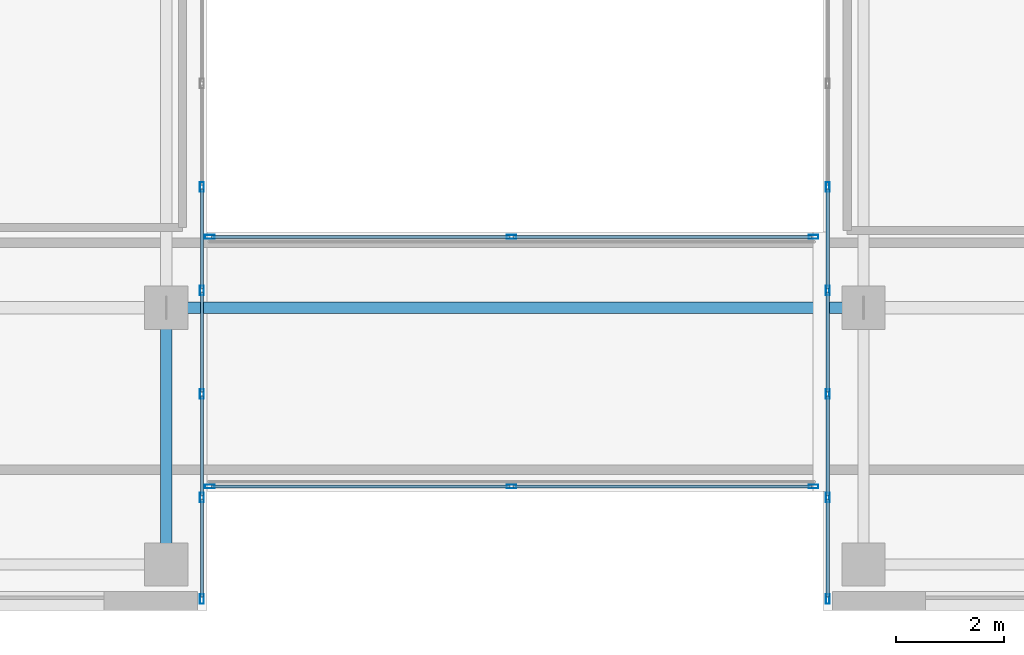
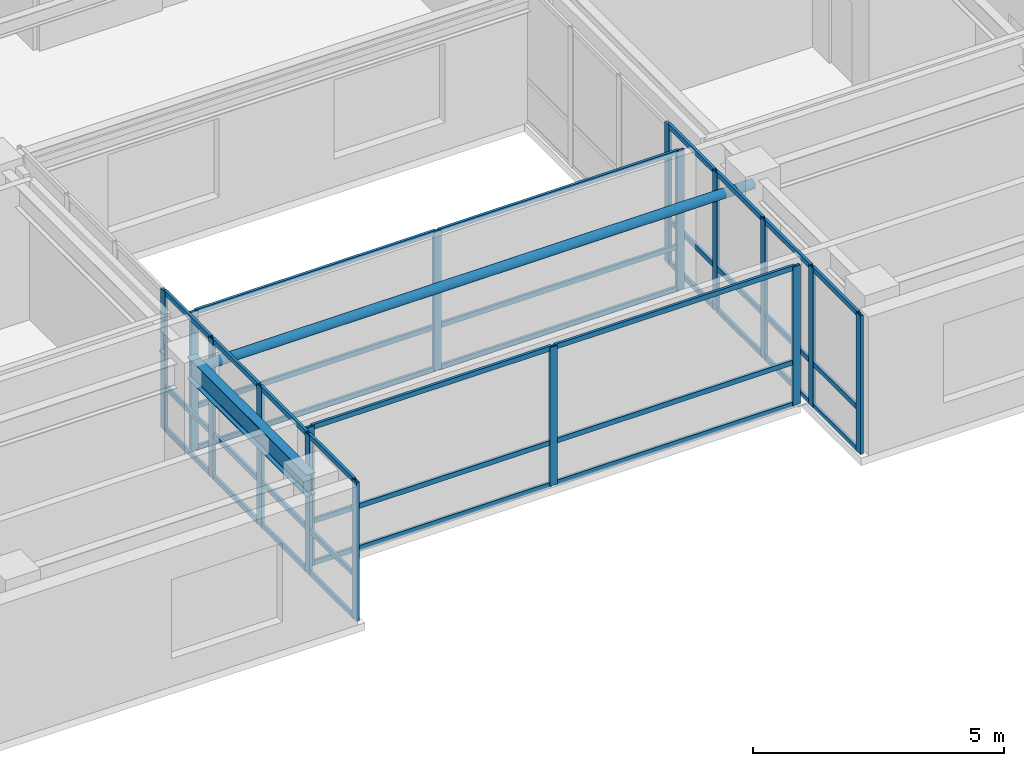
# One storey, part 3 of 20: 53 members, 1 beam, 4 elements without a shape of their own.
"""IFC4 building model written with IfcOpenShell, lengths in metres."""

from ifc_helpers import new_model, si_unit, direction, frame, origin, origin_2d, place, context, subcontext, project, spatial, hollow_rectangle, hollow_circle, i_section, extrude, source, transform, mapped, material, layer, layer_set, material_profile, profile_set, type_object, type_shapes, element, aggregate, save


model = new_model("IFC4")

# Units and contexts
model_context = context("Model", 3, precision=1e-05, world=origin(), true_north=direction((0.0, 1.0)))
body_context = subcontext(model_context, "Body", "Model", "MODEL_VIEW")
ifc_project = project(units=[si_unit("LENGTHUNIT", "METRE"), si_unit("AREAUNIT", "SQUARE_METRE"), si_unit("VOLUMEUNIT", "CUBIC_METRE"), si_unit("PLANEANGLEUNIT", "RADIAN"), si_unit("MASSUNIT", "GRAM", prefix="KILO")], contexts=[model_context])

# Site, building, storey
site_placement = place(None, origin())
site = spatial("IfcSite", under=ifc_project, at=site_placement, CompositionType="ELEMENT")
building_placement = place(site_placement, origin())
building = spatial("IfcBuilding", under=site, at=building_placement, Name="Tolvann Quenvar Hotel", CompositionType="ELEMENT")
storey_placement = place(building_placement, frame((0.0, 0.0, 171.89990234375)))
storey = spatial("IfcBuildingStorey", under=building, at=storey_placement, Name="L45", CompositionType="ELEMENT", Elevation=171.89990234375)

# Member
ifc_material_1 = material(Name="Steel Grade 450 (C450L0)", Category="steel")
ifc_material_profile_1 = material_profile(ifc_material_1, hollow_circle(Radius=0.109619140625, WallThickness=0.00830078125, at=origin_2d()), Name="219.1x8.2CHS")
ifc_profile_set_1 = profile_set([ifc_material_profile_1], Name="Steel Grade 450 (C450L0)")
member_type_1 = type_object("IfcMemberType", Name="MEM_BRG_219CHS", PredefinedType="BRACE", material=ifc_profile_set_1)
shared_shape_1 = source(origin(), body_context, "Body", "SweptSolid", [
    extrude(hollow_circle(Radius=0.109619140625, WallThickness=0.00830078125, at=origin_2d()), origin(), (0.0, 0.0, 1.0), 12.89990234375),
])
type_shapes(member_type_1, [shared_shape_1])
member_1_placement = place(storey_placement, frame((22.050048828125, 8.199951171875, 3.02001953125), z_axis=(1.0, 0.0, 0.0), x_axis=(0.0, 1.0, 0.0)))
element("IfcMember", 1, at=member_1_placement, inside=storey, type_object=member_type_1, Name="Skybridge Tie Strut (L45)", PredefinedType="BRACE", context=body_context, shape_type="MappedRepresentation", body=[
    mapped(shared_shape_1, transform((0.0, 0.0, 0.0), x_axis=(1.0, 0.0, 0.0), y_axis=(0.0, 1.0, 0.0), z_axis=(0.0, 0.0, 1.0), scale=1.0)),
])

# Beam
ifc_material_2 = material(Name="Steel Grade 350", Category="steel")
ifc_material_profile_2 = material_profile(ifc_material_2, i_section(OverallWidth=0.208984375, OverallDepth=0.532958984375, WebThickness=0.01025390625, FlangeThickness=0.015625, FilletRadius=0.013916015625, at=origin_2d()), Name="530UB92")
ifc_profile_set_2 = profile_set([ifc_material_profile_2], Name="Steel Grade 350")
beam_type = type_object("IfcBeamType", Name="BM_GIRD_530UB92", PredefinedType="BEAM", material=ifc_profile_set_2)
shared_shape_2 = source(origin(), body_context, "Body", "SweptSolid", [
    extrude(i_section(OverallWidth=0.208984375, OverallDepth=0.532958984375, WebThickness=0.01025390625, FlangeThickness=0.015625, FilletRadius=0.013916015625, at=origin_2d()), origin(), (0.0, 0.0, 1.0), 4.75),
])
type_shapes(beam_type, [shared_shape_2])
beam_placement = place(storey_placement, frame((22.050048828125, 3.449951171875, 3.103515625), z_axis=(0.0, 1.0, 0.0), x_axis=(-1.0, 0.0, 0.0)))
element("IfcBeam", 2, at=beam_placement, inside=storey, type_object=beam_type, Name="BM-L45-NS-E2-E3", PredefinedType="BEAM", context=body_context, shape_type="MappedRepresentation", body=[
    mapped(shared_shape_2, transform((0.0, 0.0, 0.0), x_axis=(1.0, 0.0, 0.0), y_axis=(0.0, 1.0, 0.0), z_axis=(0.0, 0.0, 1.0), scale=1.0)),
])

# Curtain wall, members
ifc_material_3 = material(Name="Thermally broken anodised architectural aluminium 6063-T6 and laminated low-E glass", Category="aluminium")
ifc_layer = layer(ifc_material_3, 0.179931640625)
ifc_layer_set = layer_set([ifc_layer], Name="Thermally broken anodised architectural aluminium 6063-T6 and laminated low-E glass")
curtain_wall_type = type_object("IfcCurtainWallType", Name="CW_SYS_SLOT_03", PredefinedType="USERDEFINED", material=ifc_layer_set)
curtain_wall_1_placement = place(storey_placement, origin())
curtain_wall_1 = element("IfcCurtainWall", 3, at=curtain_wall_1_placement, inside=storey, type_object=curtain_wall_type, Name="Curtain Wall CW-SLOT-03 (CWR-L45-E05)", ObjectType="UNITISED CURTAIN WALL", PredefinedType="USERDEFINED")
ifc_material_4 = material(Name="Anodised architectural aluminium 6063-T6 framing", Category="aluminium")
ifc_material_profile_3 = material_profile(ifc_material_4, hollow_rectangle(XDim=0.070068359375, YDim=0.179931640625, WallThickness=0.00390625, at=origin_2d()), Name="180x70x4RHS")
ifc_profile_set_3 = profile_set([ifc_material_profile_3], Name="Anodised architectural aluminium 6063-T6 framing")
member_type_2 = type_object("IfcMemberType", Name="CW_MULL_180x70", PredefinedType="MULLION", material=ifc_profile_set_3)
shared_shape_3 = source(origin(), body_context, "Body", "SweptSolid", [
    extrude(hollow_rectangle(XDim=0.070068359375, YDim=0.179931640625, WallThickness=0.00390625, at=origin_2d()), origin(), (0.0, 0.0, 1.0), 3.3701171875),
])
type_shapes(member_type_2, [shared_shape_3])
member_2_placement = place(storey_placement, frame((22.7099609375, 2.81005859375, 0.0), z_axis=(0.0, 0.0, 1.0), x_axis=(-1.0, 0.0, 0.0)))
member_2 = element("IfcMember", 4, at=member_2_placement, type_object=member_type_2, Name="CW-SLOT-03 mullion 1", PredefinedType="MULLION", context=body_context, shape_type="MappedRepresentation", body=[
    mapped(shared_shape_3, transform((0.0, 0.0, 0.0), x_axis=(1.0, 0.0, 0.0), y_axis=(0.0, 1.0, 0.0), z_axis=(0.0, 0.0, 1.0), scale=1.0)),
])
member_3_placement = place(storey_placement, frame((22.7099609375, 4.689208984375, 0.0), z_axis=(0.0, 0.0, 1.0), x_axis=(-1.0, 0.0, 0.0)))
member_3 = element("IfcMember", 5, at=member_3_placement, type_object=member_type_2, Name="CW-SLOT-03 mullion 2", PredefinedType="MULLION", context=body_context, shape_type="MappedRepresentation", body=[
    mapped(shared_shape_3, transform((0.0, 0.0, 0.0), x_axis=(1.0, 0.0, 0.0), y_axis=(0.0, 1.0, 0.0), z_axis=(0.0, 0.0, 1.0), scale=1.0)),
])
member_4_placement = place(storey_placement, frame((22.7099609375, 6.603515625, 0.0), z_axis=(0.0, 0.0, 1.0), x_axis=(-1.0, 0.0, 0.0)))
member_4 = element("IfcMember", 6, at=member_4_placement, type_object=member_type_2, Name="CW-SLOT-03 mullion 3", PredefinedType="MULLION", context=body_context, shape_type="MappedRepresentation", body=[
    mapped(shared_shape_3, transform((0.0, 0.0, 0.0), x_axis=(1.0, 0.0, 0.0), y_axis=(0.0, 1.0, 0.0), z_axis=(0.0, 0.0, 1.0), scale=1.0)),
])
member_5_placement = place(storey_placement, frame((22.7099609375, 8.517822265625, 0.0), z_axis=(0.0, 0.0, 1.0), x_axis=(-1.0, 0.0, 0.0)))
member_5 = element("IfcMember", 7, at=member_5_placement, type_object=member_type_2, Name="CW-SLOT-03 mullion 4", PredefinedType="MULLION", context=body_context, shape_type="MappedRepresentation", body=[
    mapped(shared_shape_3, transform((0.0, 0.0, 0.0), x_axis=(1.0, 0.0, 0.0), y_axis=(0.0, 1.0, 0.0), z_axis=(0.0, 0.0, 1.0), scale=1.0)),
])
member_6_placement = place(storey_placement, frame((22.7099609375, 10.43212890625, 0.0), z_axis=(0.0, 0.0, 1.0), x_axis=(-1.0, 0.0, 0.0)))
member_6 = element("IfcMember", 8, at=member_6_placement, type_object=member_type_2, Name="CW-SLOT-03 mullion 5", PredefinedType="MULLION", context=body_context, shape_type="MappedRepresentation", body=[
    mapped(shared_shape_3, transform((0.0, 0.0, 0.0), x_axis=(1.0, 0.0, 0.0), y_axis=(0.0, 1.0, 0.0), z_axis=(0.0, 0.0, 1.0), scale=1.0)),
])

curtain_wall_2_placement = place(storey_placement, origin())
curtain_wall_2 = element("IfcCurtainWall", 9, at=curtain_wall_2_placement, inside=storey, type_object=curtain_wall_type, Name="Curtain Wall CW-SLOT-03 (CWR-L45-E07)", ObjectType="UNITISED CURTAIN WALL", PredefinedType="USERDEFINED")
member_7_placement = place(storey_placement, frame((34.2900390625, 10.43212890625, 0.0), z_axis=(0.0, 0.0, 1.0), x_axis=(1.0, 0.0, 0.0)))
member_7 = element("IfcMember", 10, at=member_7_placement, type_object=member_type_2, Name="CW-SLOT-03 mullion 4", PredefinedType="MULLION", context=body_context, shape_type="MappedRepresentation", body=[
    mapped(shared_shape_3, transform((0.0, 0.0, 0.0), x_axis=(1.0, 0.0, 0.0), y_axis=(0.0, 1.0, 0.0), z_axis=(0.0, 0.0, 1.0), scale=1.0)),
])
member_8_placement = place(storey_placement, frame((34.2900390625, 8.517822265625, 0.0), z_axis=(0.0, 0.0, 1.0), x_axis=(1.0, 0.0, 0.0)))
member_8 = element("IfcMember", 11, at=member_8_placement, type_object=member_type_2, Name="CW-SLOT-03 mullion 5", PredefinedType="MULLION", context=body_context, shape_type="MappedRepresentation", body=[
    mapped(shared_shape_3, transform((0.0, 0.0, 0.0), x_axis=(1.0, 0.0, 0.0), y_axis=(0.0, 1.0, 0.0), z_axis=(0.0, 0.0, 1.0), scale=1.0)),
])
member_9_placement = place(storey_placement, frame((34.2900390625, 6.603515625, 0.0), z_axis=(0.0, 0.0, 1.0), x_axis=(1.0, 0.0, 0.0)))
member_9 = element("IfcMember", 12, at=member_9_placement, type_object=member_type_2, Name="CW-SLOT-03 mullion 6", PredefinedType="MULLION", context=body_context, shape_type="MappedRepresentation", body=[
    mapped(shared_shape_3, transform((0.0, 0.0, 0.0), x_axis=(1.0, 0.0, 0.0), y_axis=(0.0, 1.0, 0.0), z_axis=(0.0, 0.0, 1.0), scale=1.0)),
])
member_10_placement = place(storey_placement, frame((34.2900390625, 4.689208984375, 0.0), z_axis=(0.0, 0.0, 1.0), x_axis=(1.0, 0.0, 0.0)))
member_10 = element("IfcMember", 13, at=member_10_placement, type_object=member_type_2, Name="CW-SLOT-03 mullion 7", PredefinedType="MULLION", context=body_context, shape_type="MappedRepresentation", body=[
    mapped(shared_shape_3, transform((0.0, 0.0, 0.0), x_axis=(1.0, 0.0, 0.0), y_axis=(0.0, 1.0, 0.0), z_axis=(0.0, 0.0, 1.0), scale=1.0)),
])
member_11_placement = place(storey_placement, frame((34.2900390625, 2.81005859375, 0.0), z_axis=(0.0, 0.0, 1.0), x_axis=(1.0, 0.0, 0.0)))
member_11 = element("IfcMember", 14, at=member_11_placement, type_object=member_type_2, Name="CW-SLOT-03 mullion 8", PredefinedType="MULLION", context=body_context, shape_type="MappedRepresentation", body=[
    mapped(shared_shape_3, transform((0.0, 0.0, 0.0), x_axis=(1.0, 0.0, 0.0), y_axis=(0.0, 1.0, 0.0), z_axis=(0.0, 0.0, 1.0), scale=1.0)),
])

curtain_wall_3_placement = place(storey_placement, origin())
curtain_wall_3 = element("IfcCurtainWall", 15, at=curtain_wall_3_placement, inside=storey, type_object=curtain_wall_type, Name="Curtain Wall CW-SLOT-03 (CWR-BRG-L45-S)", ObjectType="UNITISED CURTAIN WALL", PredefinedType="USERDEFINED")
member_12_placement = place(storey_placement, frame((22.85498046875, 4.889892578125, 0.0), z_axis=(0.0, 0.0, 1.0), x_axis=(0.0, 1.0, 0.0)))
member_12 = element("IfcMember", 16, at=member_12_placement, type_object=member_type_2, Name="CW-SLOT-03 mullion 1", PredefinedType="MULLION", context=body_context, shape_type="MappedRepresentation", body=[
    mapped(shared_shape_3, transform((0.0, 0.0, 0.0), x_axis=(1.0, 0.0, 0.0), y_axis=(0.0, 1.0, 0.0), z_axis=(0.0, 0.0, 1.0), scale=1.0)),
])
member_13_placement = place(storey_placement, frame((28.43994140625, 4.889892578125, 0.0), z_axis=(0.0, 0.0, 1.0), x_axis=(0.0, 1.0, 0.0)))
member_13 = element("IfcMember", 17, at=member_13_placement, type_object=member_type_2, Name="CW-SLOT-03 mullion 2", PredefinedType="MULLION", context=body_context, shape_type="MappedRepresentation", body=[
    mapped(shared_shape_3, transform((0.0, 0.0, 0.0), x_axis=(1.0, 0.0, 0.0), y_axis=(0.0, 1.0, 0.0), z_axis=(0.0, 0.0, 1.0), scale=1.0)),
])
member_14_placement = place(storey_placement, frame((34.02490234375, 4.889892578125, 0.0), z_axis=(0.0, 0.0, 1.0), x_axis=(0.0, 1.0, 0.0)))
member_14 = element("IfcMember", 18, at=member_14_placement, type_object=member_type_2, Name="CW-SLOT-03 mullion 3", PredefinedType="MULLION", context=body_context, shape_type="MappedRepresentation", body=[
    mapped(shared_shape_3, transform((0.0, 0.0, 0.0), x_axis=(1.0, 0.0, 0.0), y_axis=(0.0, 1.0, 0.0), z_axis=(0.0, 0.0, 1.0), scale=1.0)),
])

curtain_wall_4_placement = place(storey_placement, origin())
curtain_wall_4 = element("IfcCurtainWall", 19, at=curtain_wall_4_placement, inside=storey, type_object=curtain_wall_type, Name="Curtain Wall CW-SLOT-03 (CWR-BRG-L45-N)", ObjectType="UNITISED CURTAIN WALL", PredefinedType="USERDEFINED")
member_15_placement = place(storey_placement, frame((34.02490234375, 9.510009765625, 0.0), z_axis=(0.0, 0.0, 1.0), x_axis=(0.0, -1.0, 0.0)))
member_15 = element("IfcMember", 20, at=member_15_placement, type_object=member_type_2, Name="CW-SLOT-03 mullion 1", PredefinedType="MULLION", context=body_context, shape_type="MappedRepresentation", body=[
    mapped(shared_shape_3, transform((0.0, 0.0, 0.0), x_axis=(1.0, 0.0, 0.0), y_axis=(0.0, 1.0, 0.0), z_axis=(0.0, 0.0, 1.0), scale=1.0)),
])
member_16_placement = place(storey_placement, frame((28.43994140625, 9.510009765625, 0.0), z_axis=(0.0, 0.0, 1.0), x_axis=(0.0, -1.0, 0.0)))
member_16 = element("IfcMember", 21, at=member_16_placement, type_object=member_type_2, Name="CW-SLOT-03 mullion 2", PredefinedType="MULLION", context=body_context, shape_type="MappedRepresentation", body=[
    mapped(shared_shape_3, transform((0.0, 0.0, 0.0), x_axis=(1.0, 0.0, 0.0), y_axis=(0.0, 1.0, 0.0), z_axis=(0.0, 0.0, 1.0), scale=1.0)),
])
member_17_placement = place(storey_placement, frame((22.85498046875, 9.510009765625, 0.0), z_axis=(0.0, 0.0, 1.0), x_axis=(0.0, -1.0, 0.0)))
member_17 = element("IfcMember", 22, at=member_17_placement, type_object=member_type_2, Name="CW-SLOT-03 mullion 3", PredefinedType="MULLION", context=body_context, shape_type="MappedRepresentation", body=[
    mapped(shared_shape_3, transform((0.0, 0.0, 0.0), x_axis=(1.0, 0.0, 0.0), y_axis=(0.0, 1.0, 0.0), z_axis=(0.0, 0.0, 1.0), scale=1.0)),
])

# Member
ifc_material_profile_4 = material_profile(ifc_material_4, hollow_rectangle(XDim=0.06005859375, YDim=0.1201171875, WallThickness=0.00341796875, at=origin_2d()), Name="120x60x3.5RHS")
ifc_profile_set_4 = profile_set([ifc_material_profile_4], Name="Anodised architectural aluminium 6063-T6 framing")
member_type_3 = type_object("IfcMemberType", Name="CW_TRAN_120x60", PredefinedType="USERDEFINED", material=ifc_profile_set_4)
shared_shape_4 = source(origin(), body_context, "Body", "SweptSolid", [
    extrude(hollow_rectangle(XDim=0.06005859375, YDim=0.1201171875, WallThickness=0.00341796875, at=origin_2d()), origin(), (0.0, 0.0, 1.0), 1.809326171875),
])
member_18_placement = place(storey_placement, frame((22.7099609375, 2.844970703125, 0.030029296875), z_axis=(0.0, 1.0, 0.0), x_axis=(-1.0, 0.0, 0.0)))
member_18 = element("IfcMember", 23, at=member_18_placement, type_object=member_type_3, Name="CW-SLOT-03 transom 1.1", ObjectType="TRANSOM", PredefinedType="USERDEFINED", context=body_context, shape_type="MappedRepresentation", body=[
    mapped(shared_shape_4, transform((0.0, 0.0, 0.0), x_axis=(1.0, 0.0, 0.0), y_axis=(0.0, 1.0, 0.0), z_axis=(0.0, 0.0, 1.0), scale=1.0)),
])

member_19_placement = place(storey_placement, frame((22.7099609375, 2.844970703125, 1.050048828125), z_axis=(0.0, 1.0, 0.0), x_axis=(-1.0, 0.0, 0.0)))
member_19 = element("IfcMember", 24, at=member_19_placement, type_object=member_type_3, Name="CW-SLOT-03 transom 1.2", ObjectType="TRANSOM", PredefinedType="USERDEFINED", context=body_context, shape_type="MappedRepresentation", body=[
    mapped(shared_shape_4, transform((0.0, 0.0, 0.0), x_axis=(1.0, 0.0, 0.0), y_axis=(0.0, 1.0, 0.0), z_axis=(0.0, 0.0, 1.0), scale=1.0)),
])

member_20_placement = place(storey_placement, frame((22.7099609375, 2.844970703125, 3.340087890625), z_axis=(0.0, 1.0, 0.0), x_axis=(-1.0, 0.0, 0.0)))
member_20 = element("IfcMember", 25, at=member_20_placement, type_object=member_type_3, Name="CW-SLOT-03 transom 1.3", ObjectType="TRANSOM", PredefinedType="USERDEFINED", context=body_context, shape_type="MappedRepresentation", body=[
    mapped(shared_shape_4, transform((0.0, 0.0, 0.0), x_axis=(1.0, 0.0, 0.0), y_axis=(0.0, 1.0, 0.0), z_axis=(0.0, 0.0, 1.0), scale=1.0)),
])

member_21_placement = place(storey_placement, frame((34.2900390625, 4.654296875, 0.030029296875), z_axis=(0.0, -1.0, 0.0), x_axis=(1.0, 0.0, 0.0)))
member_21 = element("IfcMember", 26, at=member_21_placement, type_object=member_type_3, Name="CW-SLOT-03 transom 7.1", ObjectType="TRANSOM", PredefinedType="USERDEFINED", context=body_context, shape_type="MappedRepresentation", body=[
    mapped(shared_shape_4, transform((0.0, 0.0, 0.0), x_axis=(1.0, 0.0, 0.0), y_axis=(0.0, 1.0, 0.0), z_axis=(0.0, 0.0, 1.0), scale=1.0)),
])

member_22_placement = place(storey_placement, frame((34.2900390625, 4.654296875, 1.050048828125), z_axis=(0.0, -1.0, 0.0), x_axis=(1.0, 0.0, 0.0)))
member_22 = element("IfcMember", 27, at=member_22_placement, type_object=member_type_3, Name="CW-SLOT-03 transom 7.2", ObjectType="TRANSOM", PredefinedType="USERDEFINED", context=body_context, shape_type="MappedRepresentation", body=[
    mapped(shared_shape_4, transform((0.0, 0.0, 0.0), x_axis=(1.0, 0.0, 0.0), y_axis=(0.0, 1.0, 0.0), z_axis=(0.0, 0.0, 1.0), scale=1.0)),
])

member_23_placement = place(storey_placement, frame((34.2900390625, 4.654296875, 3.340087890625), z_axis=(0.0, -1.0, 0.0), x_axis=(1.0, 0.0, 0.0)))
member_23 = element("IfcMember", 28, at=member_23_placement, type_object=member_type_3, Name="CW-SLOT-03 transom 7.3", ObjectType="TRANSOM", PredefinedType="USERDEFINED", context=body_context, shape_type="MappedRepresentation", body=[
    mapped(shared_shape_4, transform((0.0, 0.0, 0.0), x_axis=(1.0, 0.0, 0.0), y_axis=(0.0, 1.0, 0.0), z_axis=(0.0, 0.0, 1.0), scale=1.0)),
])

shared_shape_5 = source(origin(), body_context, "Body", "SweptSolid", [
    extrude(hollow_rectangle(XDim=0.06005859375, YDim=0.1201171875, WallThickness=0.00341796875, at=origin_2d()), origin(), (0.0, 0.0, 1.0), 1.84423828125),
])
member_24_placement = place(storey_placement, frame((22.7099609375, 4.724365234375, 0.030029296875), z_axis=(0.0, 1.0, 0.0), x_axis=(-1.0, 0.0, 0.0)))
member_24 = element("IfcMember", 29, at=member_24_placement, type_object=member_type_3, Name="CW-SLOT-03 transom 2.1", ObjectType="TRANSOM", PredefinedType="USERDEFINED", context=body_context, shape_type="MappedRepresentation", body=[
    mapped(shared_shape_5, transform((0.0, 0.0, 0.0), x_axis=(1.0, 0.0, 0.0), y_axis=(0.0, 1.0, 0.0), z_axis=(0.0, 0.0, 1.0), scale=1.0)),
])

member_25_placement = place(storey_placement, frame((22.7099609375, 4.724365234375, 1.050048828125), z_axis=(0.0, 1.0, 0.0), x_axis=(-1.0, 0.0, 0.0)))
member_25 = element("IfcMember", 30, at=member_25_placement, type_object=member_type_3, Name="CW-SLOT-03 transom 2.2", ObjectType="TRANSOM", PredefinedType="USERDEFINED", context=body_context, shape_type="MappedRepresentation", body=[
    mapped(shared_shape_5, transform((0.0, 0.0, 0.0), x_axis=(1.0, 0.0, 0.0), y_axis=(0.0, 1.0, 0.0), z_axis=(0.0, 0.0, 1.0), scale=1.0)),
])

member_26_placement = place(storey_placement, frame((22.7099609375, 4.724365234375, 3.340087890625), z_axis=(0.0, 1.0, 0.0), x_axis=(-1.0, 0.0, 0.0)))
member_26 = element("IfcMember", 31, at=member_26_placement, type_object=member_type_3, Name="CW-SLOT-03 transom 2.3", ObjectType="TRANSOM", PredefinedType="USERDEFINED", context=body_context, shape_type="MappedRepresentation", body=[
    mapped(shared_shape_5, transform((0.0, 0.0, 0.0), x_axis=(1.0, 0.0, 0.0), y_axis=(0.0, 1.0, 0.0), z_axis=(0.0, 0.0, 1.0), scale=1.0)),
])

member_27_placement = place(storey_placement, frame((22.7099609375, 6.638671875, 0.030029296875), z_axis=(0.0, 1.0, 0.0), x_axis=(-1.0, 0.0, 0.0)))
member_27 = element("IfcMember", 32, at=member_27_placement, type_object=member_type_3, Name="CW-SLOT-03 transom 3.1", ObjectType="TRANSOM", PredefinedType="USERDEFINED", context=body_context, shape_type="MappedRepresentation", body=[
    mapped(shared_shape_5, transform((0.0, 0.0, 0.0), x_axis=(1.0, 0.0, 0.0), y_axis=(0.0, 1.0, 0.0), z_axis=(0.0, 0.0, 1.0), scale=1.0)),
])

member_28_placement = place(storey_placement, frame((22.7099609375, 6.638671875, 1.050048828125), z_axis=(0.0, 1.0, 0.0), x_axis=(-1.0, 0.0, 0.0)))
member_28 = element("IfcMember", 33, at=member_28_placement, type_object=member_type_3, Name="CW-SLOT-03 transom 3.2", ObjectType="TRANSOM", PredefinedType="USERDEFINED", context=body_context, shape_type="MappedRepresentation", body=[
    mapped(shared_shape_5, transform((0.0, 0.0, 0.0), x_axis=(1.0, 0.0, 0.0), y_axis=(0.0, 1.0, 0.0), z_axis=(0.0, 0.0, 1.0), scale=1.0)),
])

member_29_placement = place(storey_placement, frame((22.7099609375, 6.638671875, 3.340087890625), z_axis=(0.0, 1.0, 0.0), x_axis=(-1.0, 0.0, 0.0)))
member_29 = element("IfcMember", 34, at=member_29_placement, type_object=member_type_3, Name="CW-SLOT-03 transom 3.3", ObjectType="TRANSOM", PredefinedType="USERDEFINED", context=body_context, shape_type="MappedRepresentation", body=[
    mapped(shared_shape_5, transform((0.0, 0.0, 0.0), x_axis=(1.0, 0.0, 0.0), y_axis=(0.0, 1.0, 0.0), z_axis=(0.0, 0.0, 1.0), scale=1.0)),
])

member_30_placement = place(storey_placement, frame((22.7099609375, 8.552978515625, 0.030029296875), z_axis=(0.0, 1.0, 0.0), x_axis=(-1.0, 0.0, 0.0)))
member_30 = element("IfcMember", 35, at=member_30_placement, type_object=member_type_3, Name="CW-SLOT-03 transom 4.1", ObjectType="TRANSOM", PredefinedType="USERDEFINED", context=body_context, shape_type="MappedRepresentation", body=[
    mapped(shared_shape_5, transform((0.0, 0.0, 0.0), x_axis=(1.0, 0.0, 0.0), y_axis=(0.0, 1.0, 0.0), z_axis=(0.0, 0.0, 1.0), scale=1.0)),
])

member_31_placement = place(storey_placement, frame((22.7099609375, 8.552978515625, 1.050048828125), z_axis=(0.0, 1.0, 0.0), x_axis=(-1.0, 0.0, 0.0)))
member_31 = element("IfcMember", 36, at=member_31_placement, type_object=member_type_3, Name="CW-SLOT-03 transom 4.2", ObjectType="TRANSOM", PredefinedType="USERDEFINED", context=body_context, shape_type="MappedRepresentation", body=[
    mapped(shared_shape_5, transform((0.0, 0.0, 0.0), x_axis=(1.0, 0.0, 0.0), y_axis=(0.0, 1.0, 0.0), z_axis=(0.0, 0.0, 1.0), scale=1.0)),
])

member_32_placement = place(storey_placement, frame((22.7099609375, 8.552978515625, 3.340087890625), z_axis=(0.0, 1.0, 0.0), x_axis=(-1.0, 0.0, 0.0)))
member_32 = element("IfcMember", 37, at=member_32_placement, type_object=member_type_3, Name="CW-SLOT-03 transom 4.3", ObjectType="TRANSOM", PredefinedType="USERDEFINED", context=body_context, shape_type="MappedRepresentation", body=[
    mapped(shared_shape_5, transform((0.0, 0.0, 0.0), x_axis=(1.0, 0.0, 0.0), y_axis=(0.0, 1.0, 0.0), z_axis=(0.0, 0.0, 1.0), scale=1.0)),
])

aggregate(curtain_wall_1, [member_2, member_3, member_4, member_5, member_6, member_18, member_19, member_20, member_24, member_25, member_26, member_27, member_28, member_29, member_30, member_31, member_32])

member_33_placement = place(storey_placement, frame((34.2900390625, 10.397216796875, 0.030029296875), z_axis=(0.0, -1.0, 0.0), x_axis=(1.0, 0.0, 0.0)))
member_33 = element("IfcMember", 38, at=member_33_placement, type_object=member_type_3, Name="CW-SLOT-03 transom 4.1", ObjectType="TRANSOM", PredefinedType="USERDEFINED", context=body_context, shape_type="MappedRepresentation", body=[
    mapped(shared_shape_5, transform((0.0, 0.0, 0.0), x_axis=(1.0, 0.0, 0.0), y_axis=(0.0, 1.0, 0.0), z_axis=(0.0, 0.0, 1.0), scale=1.0)),
])

member_34_placement = place(storey_placement, frame((34.2900390625, 10.397216796875, 1.050048828125), z_axis=(0.0, -1.0, 0.0), x_axis=(1.0, 0.0, 0.0)))
member_34 = element("IfcMember", 39, at=member_34_placement, type_object=member_type_3, Name="CW-SLOT-03 transom 4.2", ObjectType="TRANSOM", PredefinedType="USERDEFINED", context=body_context, shape_type="MappedRepresentation", body=[
    mapped(shared_shape_5, transform((0.0, 0.0, 0.0), x_axis=(1.0, 0.0, 0.0), y_axis=(0.0, 1.0, 0.0), z_axis=(0.0, 0.0, 1.0), scale=1.0)),
])

member_35_placement = place(storey_placement, frame((34.2900390625, 10.397216796875, 3.340087890625), z_axis=(0.0, -1.0, 0.0), x_axis=(1.0, 0.0, 0.0)))
member_35 = element("IfcMember", 40, at=member_35_placement, type_object=member_type_3, Name="CW-SLOT-03 transom 4.3", ObjectType="TRANSOM", PredefinedType="USERDEFINED", context=body_context, shape_type="MappedRepresentation", body=[
    mapped(shared_shape_5, transform((0.0, 0.0, 0.0), x_axis=(1.0, 0.0, 0.0), y_axis=(0.0, 1.0, 0.0), z_axis=(0.0, 0.0, 1.0), scale=1.0)),
])

member_36_placement = place(storey_placement, frame((34.2900390625, 8.48291015625, 0.030029296875), z_axis=(0.0, -1.0, 0.0), x_axis=(1.0, 0.0, 0.0)))
member_36 = element("IfcMember", 41, at=member_36_placement, type_object=member_type_3, Name="CW-SLOT-03 transom 5.1", ObjectType="TRANSOM", PredefinedType="USERDEFINED", context=body_context, shape_type="MappedRepresentation", body=[
    mapped(shared_shape_5, transform((0.0, 0.0, 0.0), x_axis=(1.0, 0.0, 0.0), y_axis=(0.0, 1.0, 0.0), z_axis=(0.0, 0.0, 1.0), scale=1.0)),
])

member_37_placement = place(storey_placement, frame((34.2900390625, 8.48291015625, 1.050048828125), z_axis=(0.0, -1.0, 0.0), x_axis=(1.0, 0.0, 0.0)))
member_37 = element("IfcMember", 42, at=member_37_placement, type_object=member_type_3, Name="CW-SLOT-03 transom 5.2", ObjectType="TRANSOM", PredefinedType="USERDEFINED", context=body_context, shape_type="MappedRepresentation", body=[
    mapped(shared_shape_5, transform((0.0, 0.0, 0.0), x_axis=(1.0, 0.0, 0.0), y_axis=(0.0, 1.0, 0.0), z_axis=(0.0, 0.0, 1.0), scale=1.0)),
])

member_38_placement = place(storey_placement, frame((34.2900390625, 8.48291015625, 3.340087890625), z_axis=(0.0, -1.0, 0.0), x_axis=(1.0, 0.0, 0.0)))
member_38 = element("IfcMember", 43, at=member_38_placement, type_object=member_type_3, Name="CW-SLOT-03 transom 5.3", ObjectType="TRANSOM", PredefinedType="USERDEFINED", context=body_context, shape_type="MappedRepresentation", body=[
    mapped(shared_shape_5, transform((0.0, 0.0, 0.0), x_axis=(1.0, 0.0, 0.0), y_axis=(0.0, 1.0, 0.0), z_axis=(0.0, 0.0, 1.0), scale=1.0)),
])

member_39_placement = place(storey_placement, frame((34.2900390625, 6.568603515625, 0.030029296875), z_axis=(0.0, -1.0, 0.0), x_axis=(1.0, 0.0, 0.0)))
member_39 = element("IfcMember", 44, at=member_39_placement, type_object=member_type_3, Name="CW-SLOT-03 transom 6.1", ObjectType="TRANSOM", PredefinedType="USERDEFINED", context=body_context, shape_type="MappedRepresentation", body=[
    mapped(shared_shape_5, transform((0.0, 0.0, 0.0), x_axis=(1.0, 0.0, 0.0), y_axis=(0.0, 1.0, 0.0), z_axis=(0.0, 0.0, 1.0), scale=1.0)),
])

member_40_placement = place(storey_placement, frame((34.2900390625, 6.568603515625, 1.050048828125), z_axis=(0.0, -1.0, 0.0), x_axis=(1.0, 0.0, 0.0)))
member_40 = element("IfcMember", 45, at=member_40_placement, type_object=member_type_3, Name="CW-SLOT-03 transom 6.2", ObjectType="TRANSOM", PredefinedType="USERDEFINED", context=body_context, shape_type="MappedRepresentation", body=[
    mapped(shared_shape_5, transform((0.0, 0.0, 0.0), x_axis=(1.0, 0.0, 0.0), y_axis=(0.0, 1.0, 0.0), z_axis=(0.0, 0.0, 1.0), scale=1.0)),
])

member_41_placement = place(storey_placement, frame((34.2900390625, 6.568603515625, 3.340087890625), z_axis=(0.0, -1.0, 0.0), x_axis=(1.0, 0.0, 0.0)))
member_41 = element("IfcMember", 46, at=member_41_placement, type_object=member_type_3, Name="CW-SLOT-03 transom 6.3", ObjectType="TRANSOM", PredefinedType="USERDEFINED", context=body_context, shape_type="MappedRepresentation", body=[
    mapped(shared_shape_5, transform((0.0, 0.0, 0.0), x_axis=(1.0, 0.0, 0.0), y_axis=(0.0, 1.0, 0.0), z_axis=(0.0, 0.0, 1.0), scale=1.0)),
])

aggregate(curtain_wall_2, [member_7, member_8, member_9, member_10, member_11, member_33, member_34, member_35, member_36, member_37, member_38, member_39, member_40, member_41, member_21, member_22, member_23])

shared_shape_6 = source(origin(), body_context, "Body", "SweptSolid", [
    extrude(hollow_rectangle(XDim=0.06005859375, YDim=0.1201171875, WallThickness=0.00341796875, at=origin_2d()), origin(), (0.0, 0.0, 1.0), 5.51513671875),
])
member_42_placement = place(storey_placement, frame((22.889892578125, 4.889892578125, 0.030029296875), z_axis=(1.0, 0.0, 0.0), x_axis=(0.0, 1.0, 0.0)))
member_42 = element("IfcMember", 47, at=member_42_placement, type_object=member_type_3, Name="CW-SLOT-03 transom 1.1", ObjectType="TRANSOM", PredefinedType="USERDEFINED", context=body_context, shape_type="MappedRepresentation", body=[
    mapped(shared_shape_6, transform((0.0, 0.0, 0.0), x_axis=(1.0, 0.0, 0.0), y_axis=(0.0, 1.0, 0.0), z_axis=(0.0, 0.0, 1.0), scale=1.0)),
])

member_43_placement = place(storey_placement, frame((22.889892578125, 4.889892578125, 1.050048828125), z_axis=(1.0, 0.0, 0.0), x_axis=(0.0, 1.0, 0.0)))
member_43 = element("IfcMember", 48, at=member_43_placement, type_object=member_type_3, Name="CW-SLOT-03 transom 1.2", ObjectType="TRANSOM", PredefinedType="USERDEFINED", context=body_context, shape_type="MappedRepresentation", body=[
    mapped(shared_shape_6, transform((0.0, 0.0, 0.0), x_axis=(1.0, 0.0, 0.0), y_axis=(0.0, 1.0, 0.0), z_axis=(0.0, 0.0, 1.0), scale=1.0)),
])

member_44_placement = place(storey_placement, frame((22.889892578125, 4.889892578125, 3.340087890625), z_axis=(1.0, 0.0, 0.0), x_axis=(0.0, 1.0, 0.0)))
member_44 = element("IfcMember", 49, at=member_44_placement, type_object=member_type_3, Name="CW-SLOT-03 transom 1.3", ObjectType="TRANSOM", PredefinedType="USERDEFINED", context=body_context, shape_type="MappedRepresentation", body=[
    mapped(shared_shape_6, transform((0.0, 0.0, 0.0), x_axis=(1.0, 0.0, 0.0), y_axis=(0.0, 1.0, 0.0), z_axis=(0.0, 0.0, 1.0), scale=1.0)),
])

member_45_placement = place(storey_placement, frame((28.405029296875, 9.510009765625, 0.030029296875), z_axis=(-1.0, 0.0, 0.0), x_axis=(0.0, -1.0, 0.0)))
member_45 = element("IfcMember", 50, at=member_45_placement, type_object=member_type_3, Name="CW-SLOT-03 transom 2.1", ObjectType="TRANSOM", PredefinedType="USERDEFINED", context=body_context, shape_type="MappedRepresentation", body=[
    mapped(shared_shape_6, transform((0.0, 0.0, 0.0), x_axis=(1.0, 0.0, 0.0), y_axis=(0.0, 1.0, 0.0), z_axis=(0.0, 0.0, 1.0), scale=1.0)),
])

member_46_placement = place(storey_placement, frame((28.405029296875, 9.510009765625, 1.050048828125), z_axis=(-1.0, 0.0, 0.0), x_axis=(0.0, -1.0, 0.0)))
member_46 = element("IfcMember", 51, at=member_46_placement, type_object=member_type_3, Name="CW-SLOT-03 transom 2.2", ObjectType="TRANSOM", PredefinedType="USERDEFINED", context=body_context, shape_type="MappedRepresentation", body=[
    mapped(shared_shape_6, transform((0.0, 0.0, 0.0), x_axis=(1.0, 0.0, 0.0), y_axis=(0.0, 1.0, 0.0), z_axis=(0.0, 0.0, 1.0), scale=1.0)),
])

member_47_placement = place(storey_placement, frame((28.405029296875, 9.510009765625, 3.340087890625), z_axis=(-1.0, 0.0, 0.0), x_axis=(0.0, -1.0, 0.0)))
member_47 = element("IfcMember", 52, at=member_47_placement, type_object=member_type_3, Name="CW-SLOT-03 transom 2.3", ObjectType="TRANSOM", PredefinedType="USERDEFINED", context=body_context, shape_type="MappedRepresentation", body=[
    mapped(shared_shape_6, transform((0.0, 0.0, 0.0), x_axis=(1.0, 0.0, 0.0), y_axis=(0.0, 1.0, 0.0), z_axis=(0.0, 0.0, 1.0), scale=1.0)),
])

shared_shape_7 = source(origin(), body_context, "Body", "SweptSolid", [
    extrude(hollow_rectangle(XDim=0.06005859375, YDim=0.1201171875, WallThickness=0.00341796875, at=origin_2d()), origin(), (0.0, 0.0, 1.0), 5.514892578125),
])
type_shapes(member_type_3, [shared_shape_4, shared_shape_5, shared_shape_6, shared_shape_7])
member_48_placement = place(storey_placement, frame((28.47509765625, 4.889892578125, 0.030029296875), z_axis=(1.0, 0.0, 0.0), x_axis=(0.0, 1.0, 0.0)))
member_48 = element("IfcMember", 53, at=member_48_placement, type_object=member_type_3, Name="CW-SLOT-03 transom 2.1", ObjectType="TRANSOM", PredefinedType="USERDEFINED", context=body_context, shape_type="MappedRepresentation", body=[
    mapped(shared_shape_7, transform((0.0, 0.0, 0.0), x_axis=(1.0, 0.0, 0.0), y_axis=(0.0, 1.0, 0.0), z_axis=(0.0, 0.0, 1.0), scale=1.0)),
])

member_49_placement = place(storey_placement, frame((28.47509765625, 4.889892578125, 1.050048828125), z_axis=(1.0, 0.0, 0.0), x_axis=(0.0, 1.0, 0.0)))
member_49 = element("IfcMember", 54, at=member_49_placement, type_object=member_type_3, Name="CW-SLOT-03 transom 2.2", ObjectType="TRANSOM", PredefinedType="USERDEFINED", context=body_context, shape_type="MappedRepresentation", body=[
    mapped(shared_shape_7, transform((0.0, 0.0, 0.0), x_axis=(1.0, 0.0, 0.0), y_axis=(0.0, 1.0, 0.0), z_axis=(0.0, 0.0, 1.0), scale=1.0)),
])

member_50_placement = place(storey_placement, frame((28.47509765625, 4.889892578125, 3.340087890625), z_axis=(1.0, 0.0, 0.0), x_axis=(0.0, 1.0, 0.0)))
member_50 = element("IfcMember", 55, at=member_50_placement, type_object=member_type_3, Name="CW-SLOT-03 transom 2.3", ObjectType="TRANSOM", PredefinedType="USERDEFINED", context=body_context, shape_type="MappedRepresentation", body=[
    mapped(shared_shape_7, transform((0.0, 0.0, 0.0), x_axis=(1.0, 0.0, 0.0), y_axis=(0.0, 1.0, 0.0), z_axis=(0.0, 0.0, 1.0), scale=1.0)),
])

aggregate(curtain_wall_3, [member_12, member_13, member_14, member_42, member_43, member_44, member_48, member_49, member_50])

member_51_placement = place(storey_placement, frame((33.989990234375, 9.510009765625, 0.030029296875), z_axis=(-1.0, 0.0, 0.0), x_axis=(0.0, -1.0, 0.0)))
member_51 = element("IfcMember", 56, at=member_51_placement, type_object=member_type_3, Name="CW-SLOT-03 transom 1.1", ObjectType="TRANSOM", PredefinedType="USERDEFINED", context=body_context, shape_type="MappedRepresentation", body=[
    mapped(shared_shape_7, transform((0.0, 0.0, 0.0), x_axis=(1.0, 0.0, 0.0), y_axis=(0.0, 1.0, 0.0), z_axis=(0.0, 0.0, 1.0), scale=1.0)),
])

member_52_placement = place(storey_placement, frame((33.989990234375, 9.510009765625, 1.050048828125), z_axis=(-1.0, 0.0, 0.0), x_axis=(0.0, -1.0, 0.0)))
member_52 = element("IfcMember", 57, at=member_52_placement, type_object=member_type_3, Name="CW-SLOT-03 transom 1.2", ObjectType="TRANSOM", PredefinedType="USERDEFINED", context=body_context, shape_type="MappedRepresentation", body=[
    mapped(shared_shape_7, transform((0.0, 0.0, 0.0), x_axis=(1.0, 0.0, 0.0), y_axis=(0.0, 1.0, 0.0), z_axis=(0.0, 0.0, 1.0), scale=1.0)),
])

member_53_placement = place(storey_placement, frame((33.989990234375, 9.510009765625, 3.340087890625), z_axis=(-1.0, 0.0, 0.0), x_axis=(0.0, -1.0, 0.0)))
member_53 = element("IfcMember", 58, at=member_53_placement, type_object=member_type_3, Name="CW-SLOT-03 transom 1.3", ObjectType="TRANSOM", PredefinedType="USERDEFINED", context=body_context, shape_type="MappedRepresentation", body=[
    mapped(shared_shape_7, transform((0.0, 0.0, 0.0), x_axis=(1.0, 0.0, 0.0), y_axis=(0.0, 1.0, 0.0), z_axis=(0.0, 0.0, 1.0), scale=1.0)),
])

aggregate(curtain_wall_4, [member_15, member_16, member_17, member_51, member_52, member_53, member_45, member_46, member_47])

save(model, "model.ifc")
